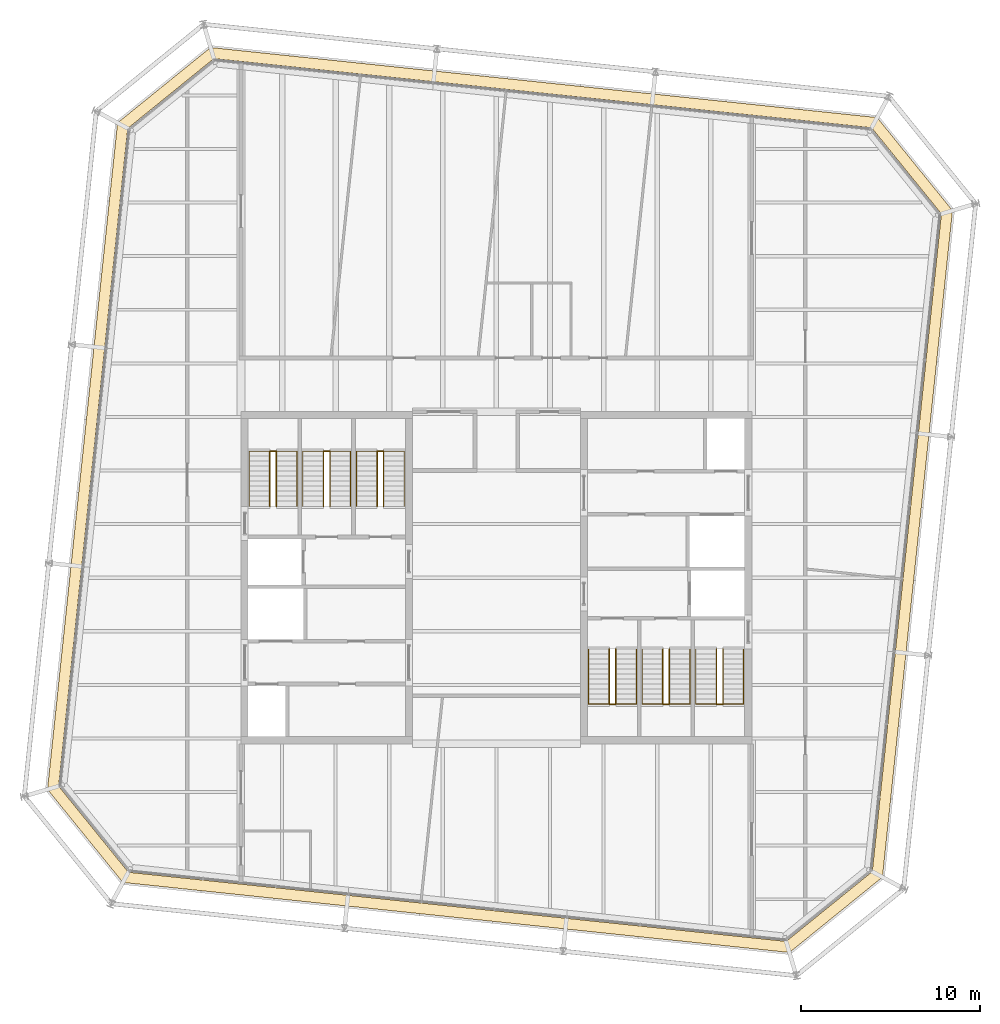
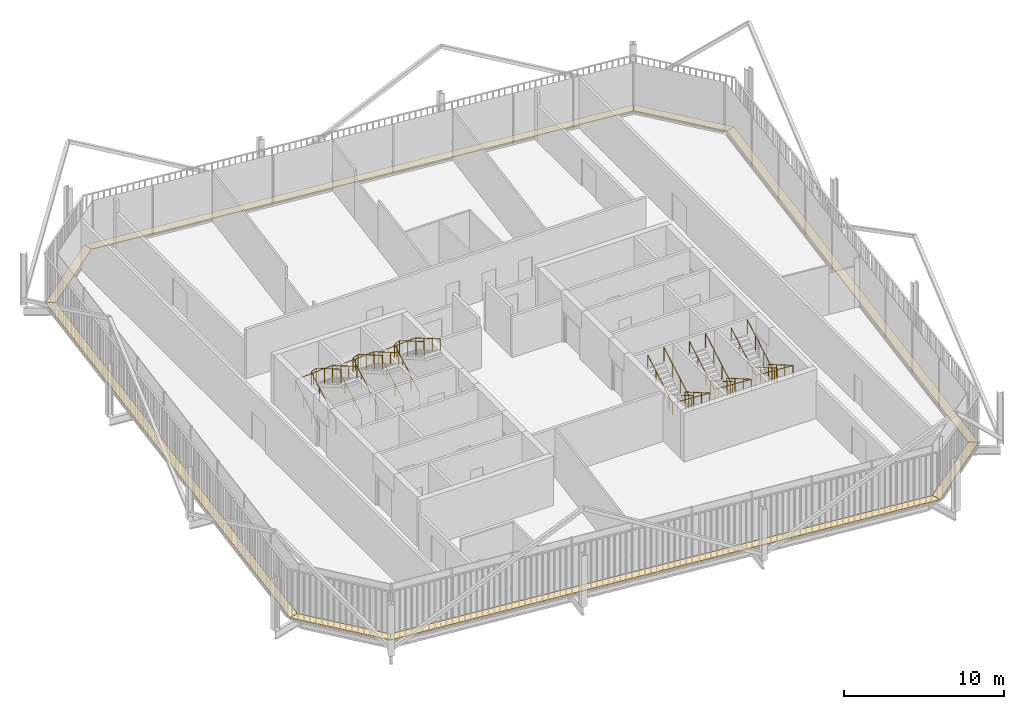
# One storey, part 21 of 21: 12 railings, 8 coverings.
"""IFC4 building model written with IfcOpenShell, lengths in metres."""

from ifc_helpers import new_model, si_unit, direction, frame, origin, origin_2d, place, context, subcontext, project, spatial, polyline, circle, outline, extrude, material, layer, layer_set, type_object, element, save


model = new_model("IFC4")

# Units and contexts
model_context = context("Model", 3, precision=1e-05, world=origin(), true_north=direction((0.0, 1.0)))
body_context = subcontext(model_context, "Body", "Model", "MODEL_VIEW")
ifc_project = project(units=[si_unit("LENGTHUNIT", "METRE"), si_unit("AREAUNIT", "SQUARE_METRE"), si_unit("VOLUMEUNIT", "CUBIC_METRE"), si_unit("PLANEANGLEUNIT", "RADIAN"), si_unit("MASSUNIT", "GRAM", prefix="KILO")], contexts=[model_context])

# Site, building, storey
site_placement = place(None, origin())
site = spatial("IfcSite", under=ifc_project, at=site_placement, CompositionType="ELEMENT")
building_placement = place(site_placement, origin())
building = spatial("IfcBuilding", under=site, at=building_placement, Name="Millrace Tower", CompositionType="ELEMENT")
storey_placement = place(building_placement, frame((0.0, 0.0, 283.800048828125)))
storey = spatial("IfcBuildingStorey", under=building, at=storey_placement, Name="L65", CompositionType="ELEMENT", Elevation=283.800048828125)

# Coverings
ifc_material_1 = material(Name="Steel ASTM A36", Category="steel")
ifc_layer = layer(ifc_material_1, 0.050048828125)
ifc_layer_set = layer_set([ifc_layer], Name="Steel ASTM A36")
covering_type = type_object("IfcCoveringType", Name="CAVITY CATWALK steel grating", PredefinedType="FLOORING", material=ifc_layer_set)
placement = place(storey_placement, frame((0.0, 0.0, 0.099853515625)))
element("IfcCovering", 1, at=placement, inside=storey, type_object=covering_type, Name="Cavity catwalk grating E-F01 L65 1", PredefinedType="FLOORING", context=body_context, shape_type="SweptSolid", body=[
    extrude(outline(polyline([(-25.13232421875, -11.8515625), (-20.914306640625, -17.060302734375), (-20.6044921875, -16.489501953125), (-24.509521484375, -11.6669921875), (-25.13232421875, -11.8515625)])), origin(), (0.0, 0.0, 1.0), 0.050048828125),
])
element("IfcCovering", 2, at=placement, inside=storey, type_object=covering_type, Name="Cavity catwalk grating E-F02 L65 1", PredefinedType="FLOORING", context=body_context, shape_type="SweptSolid", body=[
    extrude(outline(polyline([(-20.914306640625, -17.060302734375), (16.4013671875, -20.982177734375), (16.217041015625, -20.359619140625), (-20.6044921875, -16.489501953125), (-20.914306640625, -17.060302734375)])), origin(), (0.0, 0.0, 1.0), 0.050048828125),
])
element("IfcCovering", 3, at=placement, inside=storey, type_object=covering_type, Name="Cavity catwalk grating E-F03 L65 1", PredefinedType="FLOORING", context=body_context, shape_type="SweptSolid", body=[
    extrude(outline(polyline([(16.4013671875, -20.982177734375), (21.6103515625, -16.764404296875), (21.03955078125, -16.454345703125), (16.217041015625, -20.359619140625), (16.4013671875, -20.982177734375)])), origin(), (0.0, 0.0, 1.0), 0.050048828125),
])
element("IfcCovering", 4, at=placement, inside=storey, type_object=covering_type, Name="Cavity catwalk grating E-F04 L65 1", PredefinedType="FLOORING", context=body_context, shape_type="SweptSolid", body=[
    extrude(outline(polyline([(21.6103515625, -16.764404296875), (25.5322265625, 20.551513671875), (24.90966796875, 20.366943359375), (21.03955078125, -16.454345703125), (21.6103515625, -16.764404296875)])), origin(), (0.0, 0.0, 1.0), 0.050048828125),
])
element("IfcCovering", 5, at=placement, inside=storey, type_object=covering_type, Name="Cavity catwalk grating E-F05 L65 1", PredefinedType="FLOORING", context=body_context, shape_type="SweptSolid", body=[
    extrude(outline(polyline([(25.5322265625, 20.551513671875), (21.314208984375, 25.76025390625), (21.00439453125, 25.189453125), (24.90966796875, 20.366943359375), (25.5322265625, 20.551513671875)])), origin(), (0.0, 0.0, 1.0), 0.050048828125),
])
element("IfcCovering", 6, at=placement, inside=storey, type_object=covering_type, Name="Cavity catwalk grating E-F06 L65 1", PredefinedType="FLOORING", context=body_context, shape_type="SweptSolid", body=[
    extrude(outline(polyline([(21.314208984375, 25.76025390625), (-16.00146484375, 29.682373046875), (-15.817138671875, 29.0595703125), (21.00439453125, 25.189453125), (21.314208984375, 25.76025390625)])), origin(), (0.0, 0.0, 1.0), 0.050048828125),
])
element("IfcCovering", 7, at=placement, inside=storey, type_object=covering_type, Name="Cavity catwalk grating E-F07 L65 1", PredefinedType="FLOORING", context=body_context, shape_type="SweptSolid", body=[
    extrude(outline(polyline([(-16.00146484375, 29.682373046875), (-21.210205078125, 25.46435546875), (-20.639404296875, 25.154541015625), (-15.817138671875, 29.0595703125), (-16.00146484375, 29.682373046875)])), origin(), (0.0, 0.0, 1.0), 0.050048828125),
])
element("IfcCovering", 8, at=placement, inside=storey, type_object=covering_type, Name="Cavity catwalk grating E-F08 L65 1", PredefinedType="FLOORING", context=body_context, shape_type="SweptSolid", body=[
    extrude(outline(polyline([(-21.210205078125, 25.46435546875), (-25.13232421875, -11.8515625), (-24.509521484375, -11.6669921875), (-20.639404296875, 25.154541015625), (-21.210205078125, 25.46435546875)])), origin(), (0.0, 0.0, 1.0), 0.050048828125),
])

# Railings
ifc_material_2 = material(Name="Stainless steel ASTM A240 type 316", Category="steel")
railing_type_1 = type_object("IfcRailingType", Name="Stair guard 1100", PredefinedType="GUARDRAIL", material=ifc_material_2)
for number, where, name in (
    (9, (-12.679931640625, 4.0, 0.162353515625), "Stair guard 1 W L65"),
    (10, (-9.679931640625, 4.0, 0.162353515625), "Stair guard 2 W L65"),
    (11, (-6.679931640625, 4.0, 0.162353515625), "Stair guard 3 W L65"),
):
    element("IfcRailing", number, at=place(storey_placement, frame(where)), inside=storey, type_object=railing_type_1, Name=name, PredefinedType="GUARDRAIL", context=body_context, shape_type="SweptSolid", body=[
        extrude(circle(Radius=0.02392578125, at=origin_2d()), frame((0.0, 0.0, 1.076171875), z_axis=(0.0, 0.864890721111, 0.501960198159), x_axis=(-1.0, 0.0, 0.0)), (0.0, 0.0, 1.0), 3.561279296875),
        extrude(circle(Radius=0.02392578125, at=origin_2d()), frame((0.0, 3.080078125, 2.86376953125), z_axis=(0.911295775139, 0.0, 0.411752365158), x_axis=(0.0, 1.0, 0.0)), (0.0, 0.0, 1.0), 0.394775390625),
        extrude(circle(Radius=0.02392578125, at=origin_2d()), frame((0.35986328125, 3.080078125, 3.0263671875), z_axis=(0.0, -0.864920483161, 0.501908913857), x_axis=(1.0, 0.0, 0.0)), (0.0, 0.0, 1.0), 3.56103515625),
        extrude(circle(Radius=0.02099609375, at=origin_2d()), origin(), (0.0, 0.0, 1.0), 1.052001953125),
        extrude(circle(Radius=0.02099609375, at=origin_2d()), frame((0.0, 1.026611328125, 0.595947265625)), (0.0, 0.0, 1.0), 1.052001953125),
        extrude(circle(Radius=0.02099609375, at=origin_2d()), frame((0.0, 2.053466796875, 1.191650390625)), (0.0, 0.0, 1.0), 1.052001953125),
        extrude(circle(Radius=0.02099609375, at=origin_2d()), frame((0.0, 3.080078125, 1.78759765625)), (0.0, 0.0, 1.0), 1.052001953125),
        extrude(circle(Radius=0.02099609375, at=origin_2d()), frame((0.35986328125, 3.080078125, 1.9501953125)), (0.0, 0.0, 1.0), 1.052001953125),
        extrude(circle(Radius=0.02099609375, at=origin_2d()), frame((0.35986328125, 2.053466796875, 2.5458984375)), (0.0, 0.0, 1.0), 1.052001953125),
        extrude(circle(Radius=0.02099609375, at=origin_2d()), frame((0.35986328125, 1.026611328125, 3.141845703125)), (0.0, 0.0, 1.0), 1.052001953125),
        extrude(circle(Radius=0.02099609375, at=origin_2d()), frame((0.35986328125, 0.0, 3.737548828125)), (0.0, 0.0, 1.0), 1.052001953125),
    ])
for number, where, name in (
    (12, (12.679931640625, -4.0, 0.162353515625), "Stair guard 1 E L65"),
    (13, (9.679931640625, -4.0, 0.162353515625), "Stair guard 2 E L65"),
    (14, (6.679931640625, -4.0, 0.162353515625), "Stair guard 3 E L65"),
):
    element("IfcRailing", number, at=place(storey_placement, frame(where)), inside=storey, type_object=railing_type_1, Name=name, PredefinedType="GUARDRAIL", context=body_context, shape_type="SweptSolid", body=[
        extrude(circle(Radius=0.02392578125, at=origin_2d()), frame((0.0, 0.0, 1.076171875), z_axis=(0.0, -0.864890721111, 0.501960198159), x_axis=(1.0, 0.0, 0.0)), (0.0, 0.0, 1.0), 3.561279296875),
        extrude(circle(Radius=0.02392578125, at=origin_2d()), frame((0.0, -3.080078125, 2.86376953125), z_axis=(-0.911295775139, 0.0, 0.411752365158), x_axis=(0.0, -1.0, 0.0)), (0.0, 0.0, 1.0), 0.394775390625),
        extrude(circle(Radius=0.02392578125, at=origin_2d()), frame((-0.35986328125, -3.080078125, 3.0263671875), z_axis=(0.0, 0.864920483161, 0.501908913857), x_axis=(-1.0, 0.0, 0.0)), (0.0, 0.0, 1.0), 3.56103515625),
        extrude(circle(Radius=0.02099609375, at=origin_2d()), origin(), (0.0, 0.0, 1.0), 1.052001953125),
        extrude(circle(Radius=0.02099609375, at=origin_2d()), frame((0.0, -1.026611328125, 0.595947265625)), (0.0, 0.0, 1.0), 1.052001953125),
        extrude(circle(Radius=0.02099609375, at=origin_2d()), frame((0.0, -2.053466796875, 1.191650390625)), (0.0, 0.0, 1.0), 1.052001953125),
        extrude(circle(Radius=0.02099609375, at=origin_2d()), frame((0.0, -3.080078125, 1.78759765625)), (0.0, 0.0, 1.0), 1.052001953125),
        extrude(circle(Radius=0.02099609375, at=origin_2d()), frame((-0.35986328125, -3.080078125, 1.9501953125)), (0.0, 0.0, 1.0), 1.052001953125),
        extrude(circle(Radius=0.02099609375, at=origin_2d()), frame((-0.35986328125, -2.053466796875, 2.5458984375)), (0.0, 0.0, 1.0), 1.052001953125),
        extrude(circle(Radius=0.02099609375, at=origin_2d()), frame((-0.35986328125, -1.026611328125, 3.141845703125)), (0.0, 0.0, 1.0), 1.052001953125),
        extrude(circle(Radius=0.02099609375, at=origin_2d()), frame((-0.35986328125, 0.0, 3.737548828125)), (0.0, 0.0, 1.0), 1.052001953125),
    ])
ifc_material_3 = material(Name="Stainless steel ASTM A240 type 316", Category="steel")
railing_type_2 = type_object("IfcRailingType", Name="Stair handrail 900", PredefinedType="HANDRAIL", material=ifc_material_3)
railing_1_placement = place(storey_placement, frame((-13.840087890625, 4.0, 0.162353515625)))
element("IfcRailing", 15, at=railing_1_placement, inside=storey, type_object=railing_type_2, Name="Stair handrail 1 W L65", PredefinedType="HANDRAIL", context=body_context, shape_type="SweptSolid", body=[
    extrude(circle(Radius=0.02392578125, at=origin_2d()), frame((0.0, 0.0, 0.8759765625), z_axis=(0.0, 0.864890721111, 0.501960198159), x_axis=(-1.0, 0.0, 0.0)), (0.0, 0.0, 1.0), 3.561279296875),
    extrude(circle(Radius=0.02392578125, at=origin_2d()), frame((0.0, 3.080078125, 2.66357421875), z_axis=(0.998164834547, 0.0, 0.060555454528), x_axis=(0.0, 1.0, 0.0)), (0.0, 0.0, 1.0), 2.68505859375),
    extrude(circle(Radius=0.02392578125, at=origin_2d()), frame((2.68017578125, 3.080078125, 2.826171875), z_axis=(0.0, -0.864920483161, 0.501908913857), x_axis=(1.0, 0.0, 0.0)), (0.0, 0.0, 1.0), 3.56103515625),
    extrude(circle(Radius=0.02099609375, at=origin_2d()), origin(), (0.0, 0.0, 1.0), 0.851806640625),
    extrude(circle(Radius=0.02099609375, at=origin_2d()), frame((0.0, 1.026611328125, 0.595947265625)), (0.0, 0.0, 1.0), 0.851806640625),
    extrude(circle(Radius=0.02099609375, at=origin_2d()), frame((0.0, 2.053466796875, 1.191650390625)), (0.0, 0.0, 1.0), 0.851806640625),
    extrude(circle(Radius=0.02099609375, at=origin_2d()), frame((0.0, 3.080078125, 1.78759765625)), (0.0, 0.0, 1.0), 0.851806640625),
    extrude(circle(Radius=0.02099609375, at=origin_2d()), frame((1.340087890625, 3.080078125, 1.868896484375)), (0.0, 0.0, 1.0), 0.851806640625),
    extrude(circle(Radius=0.02099609375, at=origin_2d()), frame((2.68017578125, 3.080078125, 1.9501953125)), (0.0, 0.0, 1.0), 0.851806640625),
    extrude(circle(Radius=0.02099609375, at=origin_2d()), frame((2.68017578125, 2.053466796875, 2.5458984375)), (0.0, 0.0, 1.0), 0.851806640625),
    extrude(circle(Radius=0.02099609375, at=origin_2d()), frame((2.68017578125, 1.026611328125, 3.141845703125)), (0.0, 0.0, 1.0), 0.851806640625),
    extrude(circle(Radius=0.02099609375, at=origin_2d()), frame((2.68017578125, 0.0, 3.737548828125)), (0.0, 0.0, 1.0), 0.851806640625),
])
railing_2_placement = place(storey_placement, frame((-10.840087890625, 4.0, 0.162353515625)))
element("IfcRailing", 16, at=railing_2_placement, inside=storey, type_object=railing_type_2, Name="Stair handrail 2 W L65", PredefinedType="HANDRAIL", context=body_context, shape_type="SweptSolid", body=[
    extrude(circle(Radius=0.02392578125, at=origin_2d()), frame((0.0, 0.0, 0.8759765625), z_axis=(0.0, 0.864890721111, 0.501960198159), x_axis=(-1.0, 0.0, 0.0)), (0.0, 0.0, 1.0), 3.561279296875),
    extrude(circle(Radius=0.02392578125, at=origin_2d()), frame((0.0, 3.080078125, 2.66357421875), z_axis=(0.998164834547, 0.0, 0.060555454528), x_axis=(0.0, 1.0, 0.0)), (0.0, 0.0, 1.0), 2.68505859375),
    extrude(circle(Radius=0.02392578125, at=origin_2d()), frame((2.68017578125, 3.080078125, 2.826171875), z_axis=(0.0, -0.864920483161, 0.501908913857), x_axis=(1.0, 0.0, 0.0)), (0.0, 0.0, 1.0), 3.56103515625),
    extrude(circle(Radius=0.02099609375, at=origin_2d()), origin(), (0.0, 0.0, 1.0), 0.851806640625),
    extrude(circle(Radius=0.02099609375, at=origin_2d()), frame((0.0, 1.026611328125, 0.595947265625)), (0.0, 0.0, 1.0), 0.851806640625),
    extrude(circle(Radius=0.02099609375, at=origin_2d()), frame((0.0, 2.053466796875, 1.191650390625)), (0.0, 0.0, 1.0), 0.851806640625),
    extrude(circle(Radius=0.02099609375, at=origin_2d()), frame((0.0, 3.080078125, 1.78759765625)), (0.0, 0.0, 1.0), 0.851806640625),
    extrude(circle(Radius=0.02099609375, at=origin_2d()), frame((1.340087890625, 3.080078125, 1.868896484375)), (0.0, 0.0, 1.0), 0.851806640625),
    extrude(circle(Radius=0.02099609375, at=origin_2d()), frame((2.68017578125, 3.080078125, 1.9501953125)), (0.0, 0.0, 1.0), 0.851806640625),
    extrude(circle(Radius=0.02099609375, at=origin_2d()), frame((2.68017578125, 2.053466796875, 2.5458984375)), (0.0, 0.0, 1.0), 0.851806640625),
    extrude(circle(Radius=0.02099609375, at=origin_2d()), frame((2.68017578125, 1.026611328125, 3.141845703125)), (0.0, 0.0, 1.0), 0.851806640625),
    extrude(circle(Radius=0.02099609375, at=origin_2d()), frame((2.68017578125, 0.0, 3.737548828125)), (0.0, 0.0, 1.0), 0.851806640625),
])
railing_3_placement = place(storey_placement, frame((-7.840087890625, 4.0, 0.162353515625)))
element("IfcRailing", 17, at=railing_3_placement, inside=storey, type_object=railing_type_2, Name="Stair handrail 3 W L65", PredefinedType="HANDRAIL", context=body_context, shape_type="SweptSolid", body=[
    extrude(circle(Radius=0.02392578125, at=origin_2d()), frame((0.0, 0.0, 0.8759765625), z_axis=(0.0, 0.864890721111, 0.501960198159), x_axis=(-1.0, 0.0, 0.0)), (0.0, 0.0, 1.0), 3.561279296875),
    extrude(circle(Radius=0.02392578125, at=origin_2d()), frame((0.0, 3.080078125, 2.66357421875), z_axis=(0.998164834547, 0.0, 0.060555454528), x_axis=(0.0, 1.0, 0.0)), (0.0, 0.0, 1.0), 2.68505859375),
    extrude(circle(Radius=0.02392578125, at=origin_2d()), frame((2.68017578125, 3.080078125, 2.826171875), z_axis=(0.0, -0.864920483161, 0.501908913857), x_axis=(1.0, 0.0, 0.0)), (0.0, 0.0, 1.0), 3.56103515625),
    extrude(circle(Radius=0.02099609375, at=origin_2d()), origin(), (0.0, 0.0, 1.0), 0.851806640625),
    extrude(circle(Radius=0.02099609375, at=origin_2d()), frame((0.0, 1.026611328125, 0.595947265625)), (0.0, 0.0, 1.0), 0.851806640625),
    extrude(circle(Radius=0.02099609375, at=origin_2d()), frame((0.0, 2.053466796875, 1.191650390625)), (0.0, 0.0, 1.0), 0.851806640625),
    extrude(circle(Radius=0.02099609375, at=origin_2d()), frame((0.0, 3.080078125, 1.78759765625)), (0.0, 0.0, 1.0), 0.851806640625),
    extrude(circle(Radius=0.02099609375, at=origin_2d()), frame((1.340087890625, 3.080078125, 1.868896484375)), (0.0, 0.0, 1.0), 0.851806640625),
    extrude(circle(Radius=0.02099609375, at=origin_2d()), frame((2.68017578125, 3.080078125, 1.9501953125)), (0.0, 0.0, 1.0), 0.851806640625),
    extrude(circle(Radius=0.02099609375, at=origin_2d()), frame((2.68017578125, 2.053466796875, 2.5458984375)), (0.0, 0.0, 1.0), 0.851806640625),
    extrude(circle(Radius=0.02099609375, at=origin_2d()), frame((2.68017578125, 1.026611328125, 3.141845703125)), (0.0, 0.0, 1.0), 0.851806640625),
    extrude(circle(Radius=0.02099609375, at=origin_2d()), frame((2.68017578125, 0.0, 3.737548828125)), (0.0, 0.0, 1.0), 0.851806640625),
])
railing_4_placement = place(storey_placement, frame((13.840087890625, -4.0, 0.162353515625)))
element("IfcRailing", 18, at=railing_4_placement, inside=storey, type_object=railing_type_2, Name="Stair handrail 1 E L65", PredefinedType="HANDRAIL", context=body_context, shape_type="SweptSolid", body=[
    extrude(circle(Radius=0.02392578125, at=origin_2d()), frame((0.0, 0.0, 0.8759765625), z_axis=(0.0, -0.864890721111, 0.501960198159), x_axis=(1.0, 0.0, 0.0)), (0.0, 0.0, 1.0), 3.561279296875),
    extrude(circle(Radius=0.02392578125, at=origin_2d()), frame((0.0, -3.080078125, 2.66357421875), z_axis=(-0.998164834547, 0.0, 0.060555454528), x_axis=(0.0, -1.0, 0.0)), (0.0, 0.0, 1.0), 2.68505859375),
    extrude(circle(Radius=0.02392578125, at=origin_2d()), frame((-2.68017578125, -3.080078125, 2.826171875), z_axis=(0.0, 0.864920483161, 0.501908913857), x_axis=(-1.0, 0.0, 0.0)), (0.0, 0.0, 1.0), 3.56103515625),
    extrude(circle(Radius=0.02099609375, at=origin_2d()), origin(), (0.0, 0.0, 1.0), 0.851806640625),
    extrude(circle(Radius=0.02099609375, at=origin_2d()), frame((0.0, -1.026611328125, 0.595947265625)), (0.0, 0.0, 1.0), 0.851806640625),
    extrude(circle(Radius=0.02099609375, at=origin_2d()), frame((0.0, -2.053466796875, 1.191650390625)), (0.0, 0.0, 1.0), 0.851806640625),
    extrude(circle(Radius=0.02099609375, at=origin_2d()), frame((0.0, -3.080078125, 1.78759765625)), (0.0, 0.0, 1.0), 0.851806640625),
    extrude(circle(Radius=0.02099609375, at=origin_2d()), frame((-1.340087890625, -3.080078125, 1.868896484375)), (0.0, 0.0, 1.0), 0.851806640625),
    extrude(circle(Radius=0.02099609375, at=origin_2d()), frame((-2.68017578125, -3.080078125, 1.9501953125)), (0.0, 0.0, 1.0), 0.851806640625),
    extrude(circle(Radius=0.02099609375, at=origin_2d()), frame((-2.68017578125, -2.053466796875, 2.5458984375)), (0.0, 0.0, 1.0), 0.851806640625),
    extrude(circle(Radius=0.02099609375, at=origin_2d()), frame((-2.68017578125, -1.026611328125, 3.141845703125)), (0.0, 0.0, 1.0), 0.851806640625),
    extrude(circle(Radius=0.02099609375, at=origin_2d()), frame((-2.68017578125, 0.0, 3.737548828125)), (0.0, 0.0, 1.0), 0.851806640625),
])
railing_5_placement = place(storey_placement, frame((10.840087890625, -4.0, 0.162353515625)))
element("IfcRailing", 19, at=railing_5_placement, inside=storey, type_object=railing_type_2, Name="Stair handrail 2 E L65", PredefinedType="HANDRAIL", context=body_context, shape_type="SweptSolid", body=[
    extrude(circle(Radius=0.02392578125, at=origin_2d()), frame((0.0, 0.0, 0.8759765625), z_axis=(0.0, -0.864890721111, 0.501960198159), x_axis=(1.0, 0.0, 0.0)), (0.0, 0.0, 1.0), 3.561279296875),
    extrude(circle(Radius=0.02392578125, at=origin_2d()), frame((0.0, -3.080078125, 2.66357421875), z_axis=(-0.998164834547, 0.0, 0.060555454528), x_axis=(0.0, -1.0, 0.0)), (0.0, 0.0, 1.0), 2.68505859375),
    extrude(circle(Radius=0.02392578125, at=origin_2d()), frame((-2.68017578125, -3.080078125, 2.826171875), z_axis=(0.0, 0.864920483161, 0.501908913857), x_axis=(-1.0, 0.0, 0.0)), (0.0, 0.0, 1.0), 3.56103515625),
    extrude(circle(Radius=0.02099609375, at=origin_2d()), origin(), (0.0, 0.0, 1.0), 0.851806640625),
    extrude(circle(Radius=0.02099609375, at=origin_2d()), frame((0.0, -1.026611328125, 0.595947265625)), (0.0, 0.0, 1.0), 0.851806640625),
    extrude(circle(Radius=0.02099609375, at=origin_2d()), frame((0.0, -2.053466796875, 1.191650390625)), (0.0, 0.0, 1.0), 0.851806640625),
    extrude(circle(Radius=0.02099609375, at=origin_2d()), frame((0.0, -3.080078125, 1.78759765625)), (0.0, 0.0, 1.0), 0.851806640625),
    extrude(circle(Radius=0.02099609375, at=origin_2d()), frame((-1.340087890625, -3.080078125, 1.868896484375)), (0.0, 0.0, 1.0), 0.851806640625),
    extrude(circle(Radius=0.02099609375, at=origin_2d()), frame((-2.68017578125, -3.080078125, 1.9501953125)), (0.0, 0.0, 1.0), 0.851806640625),
    extrude(circle(Radius=0.02099609375, at=origin_2d()), frame((-2.68017578125, -2.053466796875, 2.5458984375)), (0.0, 0.0, 1.0), 0.851806640625),
    extrude(circle(Radius=0.02099609375, at=origin_2d()), frame((-2.68017578125, -1.026611328125, 3.141845703125)), (0.0, 0.0, 1.0), 0.851806640625),
    extrude(circle(Radius=0.02099609375, at=origin_2d()), frame((-2.68017578125, 0.0, 3.737548828125)), (0.0, 0.0, 1.0), 0.851806640625),
])
railing_6_placement = place(storey_placement, frame((7.840087890625, -4.0, 0.162353515625)))
element("IfcRailing", 20, at=railing_6_placement, inside=storey, type_object=railing_type_2, Name="Stair handrail 3 E L65", PredefinedType="HANDRAIL", context=body_context, shape_type="SweptSolid", body=[
    extrude(circle(Radius=0.02392578125, at=origin_2d()), frame((0.0, 0.0, 0.8759765625), z_axis=(0.0, -0.864890721111, 0.501960198159), x_axis=(1.0, 0.0, 0.0)), (0.0, 0.0, 1.0), 3.561279296875),
    extrude(circle(Radius=0.02392578125, at=origin_2d()), frame((0.0, -3.080078125, 2.66357421875), z_axis=(-0.998164834547, 0.0, 0.060555454528), x_axis=(0.0, -1.0, 0.0)), (0.0, 0.0, 1.0), 2.68505859375),
    extrude(circle(Radius=0.02392578125, at=origin_2d()), frame((-2.68017578125, -3.080078125, 2.826171875), z_axis=(0.0, 0.864920483161, 0.501908913857), x_axis=(-1.0, 0.0, 0.0)), (0.0, 0.0, 1.0), 3.56103515625),
    extrude(circle(Radius=0.02099609375, at=origin_2d()), origin(), (0.0, 0.0, 1.0), 0.851806640625),
    extrude(circle(Radius=0.02099609375, at=origin_2d()), frame((0.0, -1.026611328125, 0.595947265625)), (0.0, 0.0, 1.0), 0.851806640625),
    extrude(circle(Radius=0.02099609375, at=origin_2d()), frame((0.0, -2.053466796875, 1.191650390625)), (0.0, 0.0, 1.0), 0.851806640625),
    extrude(circle(Radius=0.02099609375, at=origin_2d()), frame((0.0, -3.080078125, 1.78759765625)), (0.0, 0.0, 1.0), 0.851806640625),
    extrude(circle(Radius=0.02099609375, at=origin_2d()), frame((-1.340087890625, -3.080078125, 1.868896484375)), (0.0, 0.0, 1.0), 0.851806640625),
    extrude(circle(Radius=0.02099609375, at=origin_2d()), frame((-2.68017578125, -3.080078125, 1.9501953125)), (0.0, 0.0, 1.0), 0.851806640625),
    extrude(circle(Radius=0.02099609375, at=origin_2d()), frame((-2.68017578125, -2.053466796875, 2.5458984375)), (0.0, 0.0, 1.0), 0.851806640625),
    extrude(circle(Radius=0.02099609375, at=origin_2d()), frame((-2.68017578125, -1.026611328125, 3.141845703125)), (0.0, 0.0, 1.0), 0.851806640625),
    extrude(circle(Radius=0.02099609375, at=origin_2d()), frame((-2.68017578125, 0.0, 3.737548828125)), (0.0, 0.0, 1.0), 0.851806640625),
])

save(model, "model.ifc")
